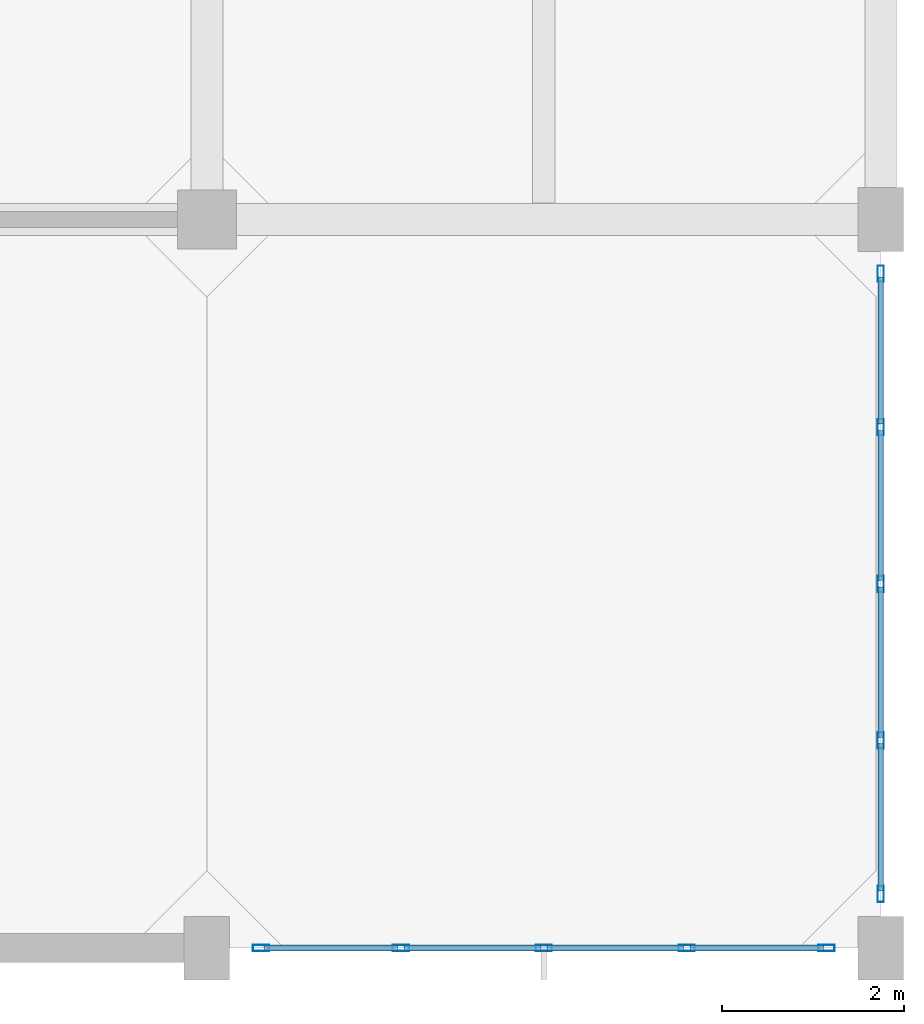
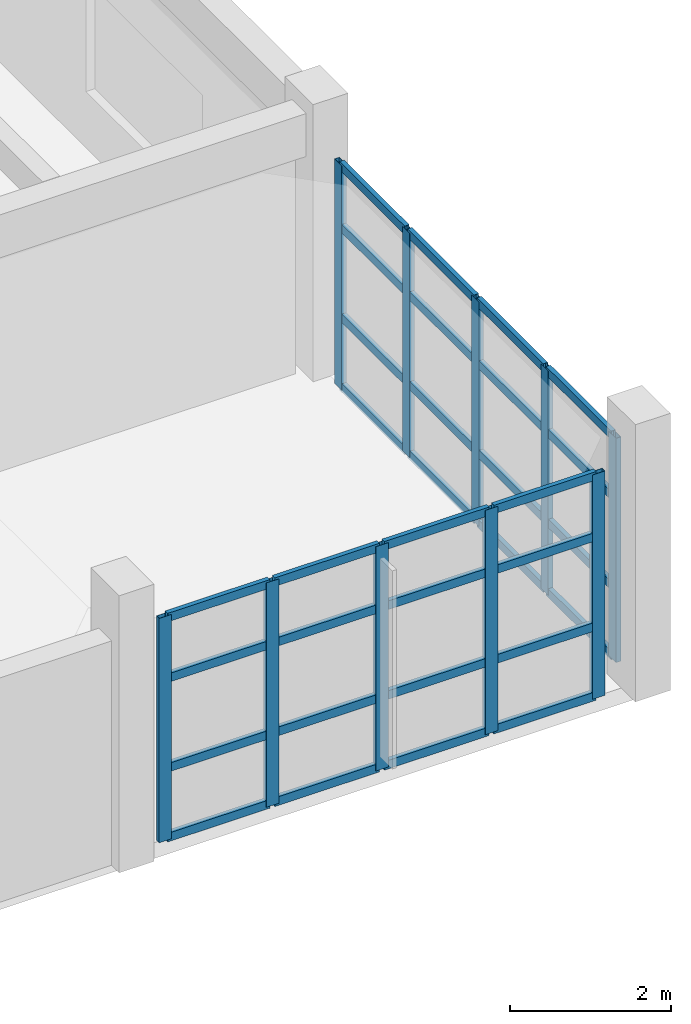
# One storey, part 5 of 18: 42 members, 2 elements without a shape of their own.
"""IFC4 building model written with IfcOpenShell, lengths in metres."""

from ifc_helpers import new_model, si_unit, direction, frame, origin, origin_2d, place, context, subcontext, project, spatial, hollow_rectangle, extrude, material, layer, layer_set, material_profile, profile_set, type_object, element, aggregate, save


model = new_model("IFC4")

# Units and contexts
model_context = context("Model", 3, precision=1e-05, world=origin(), true_north=direction((0.0, 1.0)))
body_context = subcontext(model_context, "Body", "Model", "MODEL_VIEW")
ifc_project = project(units=[si_unit("LENGTHUNIT", "METRE"), si_unit("AREAUNIT", "SQUARE_METRE"), si_unit("VOLUMEUNIT", "CUBIC_METRE"), si_unit("PLANEANGLEUNIT", "RADIAN"), si_unit("MASSUNIT", "GRAM", prefix="KILO")], contexts=[model_context])

# Site, building, storey
site_placement = place(None, origin())
site = spatial("IfcSite", under=ifc_project, at=site_placement, CompositionType="ELEMENT")
building_placement = place(site_placement, origin())
building = spatial("IfcBuilding", under=site, at=building_placement, Name="Canggui Botanical Conservatory", CompositionType="ELEMENT")
storey_placement = place(building_placement, frame((0.0, 0.0, 52.800048828125)))
storey = spatial("IfcBuildingStorey", under=building, at=storey_placement, Name="L13", CompositionType="ELEMENT", Elevation=52.800048828125)

# Curtain wall, members
ifc_material = material(Name="Thermally Broken Aluminium", Category="aluminium")
ifc_layer = layer(ifc_material, 0.179931640625, Name="Thermally Broken Aluminium", Category="aluminium")
ifc_layer_set = layer_set([ifc_layer], Name="Thermally Broken Aluminium")
curtain_wall_type = type_object("IfcCurtainWallType", Name="CW-UNIT-A", PredefinedType="USERDEFINED", material=ifc_layer_set)
curtain_wall_1_placement = place(storey_placement, origin())
curtain_wall_1 = element("IfcCurtainWall", 1, at=curtain_wall_1_placement, inside=storey, type_object=curtain_wall_type, Name="Facade Curtain Wall CW-TWR-L13-01", ObjectType="UNITISED CURTAIN WALL", PredefinedType="USERDEFINED")
ifc_material_profile_1 = material_profile(ifc_material, hollow_rectangle(XDim=0.070068359375, YDim=0.179931640625, WallThickness=0.00390625, at=origin_2d()), Name="CWM 70x180x4")
ifc_profile_set_1 = profile_set([ifc_material_profile_1], Name="Thermally Broken Aluminium")
member_type_1 = type_object("IfcMemberType", Name="CWM-01", PredefinedType="MULLION", material=ifc_profile_set_1)
member_1_placement = place(storey_placement, frame((176.804931640625, 34.0, 0.0), z_axis=(0.0, 0.0, 1.0), x_axis=(0.0, -1.0, 0.0)))
member_1 = element("IfcMember", 2, at=member_1_placement, type_object=member_type_1, Name="CW-01 mullion 1", PredefinedType="MULLION", context=body_context, shape_type="SweptSolid", body=[
    extrude(hollow_rectangle(XDim=0.070068359375, YDim=0.179931640625, WallThickness=0.00390625, at=origin_2d()), origin(), (0.0, 0.0, 1.0), 3.39990234375),
])
member_2_placement = place(storey_placement, frame((175.27001953125, 34.0, 0.0), z_axis=(0.0, 0.0, 1.0), x_axis=(0.0, -1.0, 0.0)))
member_2 = element("IfcMember", 3, at=member_2_placement, type_object=member_type_1, Name="CW-01 mullion 2", PredefinedType="MULLION", context=body_context, shape_type="SweptSolid", body=[
    extrude(hollow_rectangle(XDim=0.070068359375, YDim=0.179931640625, WallThickness=0.00390625, at=origin_2d()), origin(), (0.0, 0.0, 1.0), 3.39990234375),
])
member_3_placement = place(storey_placement, frame((173.699951171875, 34.0, 0.0), z_axis=(0.0, 0.0, 1.0), x_axis=(0.0, -1.0, 0.0)))
member_3 = element("IfcMember", 4, at=member_3_placement, type_object=member_type_1, Name="CW-01 mullion 3", PredefinedType="MULLION", context=body_context, shape_type="SweptSolid", body=[
    extrude(hollow_rectangle(XDim=0.070068359375, YDim=0.179931640625, WallThickness=0.00390625, at=origin_2d()), origin(), (0.0, 0.0, 1.0), 3.39990234375),
])
member_4_placement = place(storey_placement, frame((172.1298828125, 34.0, 0.0), z_axis=(0.0, 0.0, 1.0), x_axis=(0.0, -1.0, 0.0)))
member_4 = element("IfcMember", 5, at=member_4_placement, type_object=member_type_1, Name="CW-01 mullion 4", PredefinedType="MULLION", context=body_context, shape_type="SweptSolid", body=[
    extrude(hollow_rectangle(XDim=0.070068359375, YDim=0.179931640625, WallThickness=0.00390625, at=origin_2d()), origin(), (0.0, 0.0, 1.0), 3.39990234375),
])
member_5_placement = place(storey_placement, frame((170.594970703125, 34.0, 0.0), z_axis=(0.0, 0.0, 1.0), x_axis=(0.0, -1.0, 0.0)))
member_5 = element("IfcMember", 6, at=member_5_placement, type_object=member_type_1, Name="CW-01 mullion 5", PredefinedType="MULLION", context=body_context, shape_type="SweptSolid", body=[
    extrude(hollow_rectangle(XDim=0.070068359375, YDim=0.179931640625, WallThickness=0.00390625, at=origin_2d()), origin(), (0.0, 0.0, 1.0), 3.39990234375),
])

curtain_wall_2_placement = place(storey_placement, origin())
curtain_wall_2 = element("IfcCurtainWall", 7, at=curtain_wall_2_placement, inside=storey, type_object=curtain_wall_type, Name="Facade Curtain Wall CW-TWR-L13-15", ObjectType="UNITISED CURTAIN WALL", PredefinedType="USERDEFINED")
member_6_placement = place(storey_placement, frame((177.39990234375, 41.405029296875, 0.0), z_axis=(0.0, 0.0, 1.0), x_axis=(1.0, 0.0, 0.0)))
member_6 = element("IfcMember", 8, at=member_6_placement, type_object=member_type_1, Name="CW-01 mullion 1", PredefinedType="MULLION", context=body_context, shape_type="SweptSolid", body=[
    extrude(hollow_rectangle(XDim=0.070068359375, YDim=0.179931640625, WallThickness=0.00390625, at=origin_2d()), origin(), (0.0, 0.0, 1.0), 3.39990234375),
])
member_7_placement = place(storey_placement, frame((177.39990234375, 39.719970703125, 0.0), z_axis=(0.0, 0.0, 1.0), x_axis=(1.0, 0.0, 0.0)))
member_7 = element("IfcMember", 9, at=member_7_placement, type_object=member_type_1, Name="CW-01 mullion 2", PredefinedType="MULLION", context=body_context, shape_type="SweptSolid", body=[
    extrude(hollow_rectangle(XDim=0.070068359375, YDim=0.179931640625, WallThickness=0.00390625, at=origin_2d()), origin(), (0.0, 0.0, 1.0), 3.39990234375),
])
member_8_placement = place(storey_placement, frame((177.39990234375, 38.0, 0.0), z_axis=(0.0, 0.0, 1.0), x_axis=(1.0, 0.0, 0.0)))
member_8 = element("IfcMember", 10, at=member_8_placement, type_object=member_type_1, Name="CW-01 mullion 3", PredefinedType="MULLION", context=body_context, shape_type="SweptSolid", body=[
    extrude(hollow_rectangle(XDim=0.070068359375, YDim=0.179931640625, WallThickness=0.00390625, at=origin_2d()), origin(), (0.0, 0.0, 1.0), 3.39990234375),
])
member_9_placement = place(storey_placement, frame((177.39990234375, 36.280029296875, 0.0), z_axis=(0.0, 0.0, 1.0), x_axis=(1.0, 0.0, 0.0)))
member_9 = element("IfcMember", 11, at=member_9_placement, type_object=member_type_1, Name="CW-01 mullion 4", PredefinedType="MULLION", context=body_context, shape_type="SweptSolid", body=[
    extrude(hollow_rectangle(XDim=0.070068359375, YDim=0.179931640625, WallThickness=0.00390625, at=origin_2d()), origin(), (0.0, 0.0, 1.0), 3.39990234375),
])
member_10_placement = place(storey_placement, frame((177.39990234375, 34.594970703125, 0.0), z_axis=(0.0, 0.0, 1.0), x_axis=(1.0, 0.0, 0.0)))
member_10 = element("IfcMember", 12, at=member_10_placement, type_object=member_type_1, Name="CW-01 mullion 5", PredefinedType="MULLION", context=body_context, shape_type="SweptSolid", body=[
    extrude(hollow_rectangle(XDim=0.070068359375, YDim=0.179931640625, WallThickness=0.00390625, at=origin_2d()), origin(), (0.0, 0.0, 1.0), 3.39990234375),
])

# Member
ifc_material_profile_2 = material_profile(ifc_material, hollow_rectangle(XDim=0.06494140625, YDim=0.1298828125, WallThickness=0.00341796875, at=origin_2d()), Name="CWT 65x130x3.5")
ifc_profile_set_2 = profile_set([ifc_material_profile_2], Name="Thermally Broken Aluminium")
member_type_2 = type_object("IfcMemberType", Name="CWT-01", PredefinedType="USERDEFINED", material=ifc_profile_set_2)
member_11_placement = place(storey_placement, frame((176.77001953125, 34.0, 0.032470703125), z_axis=(-1.0, 0.0, 0.0), x_axis=(0.0, -1.0, 0.0)))
member_11 = element("IfcMember", 13, at=member_11_placement, type_object=member_type_2, Name="CW-01 transom 1.1", ObjectType="TRANSOM", PredefinedType="USERDEFINED", context=body_context, shape_type="SweptSolid", body=[
    extrude(hollow_rectangle(XDim=0.06494140625, YDim=0.1298828125, WallThickness=0.00341796875, at=origin_2d()), origin(), (0.0, 0.0, 1.0), 1.465087890625),
])

member_12_placement = place(storey_placement, frame((176.77001953125, 34.0, 1.087890625), z_axis=(-1.0, 0.0, 0.0), x_axis=(0.0, -1.0, 0.0)))
member_12 = element("IfcMember", 14, at=member_12_placement, type_object=member_type_2, Name="CW-01 transom 1.2", ObjectType="TRANSOM", PredefinedType="USERDEFINED", context=body_context, shape_type="SweptSolid", body=[
    extrude(hollow_rectangle(XDim=0.06494140625, YDim=0.1298828125, WallThickness=0.00341796875, at=origin_2d()), origin(), (0.0, 0.0, 1.0), 1.465087890625),
])

member_13_placement = place(storey_placement, frame((176.77001953125, 34.0, 2.447998046875), z_axis=(-1.0, 0.0, 0.0), x_axis=(0.0, -1.0, 0.0)))
member_13 = element("IfcMember", 15, at=member_13_placement, type_object=member_type_2, Name="CW-01 transom 1.3", ObjectType="TRANSOM", PredefinedType="USERDEFINED", context=body_context, shape_type="SweptSolid", body=[
    extrude(hollow_rectangle(XDim=0.06494140625, YDim=0.1298828125, WallThickness=0.00341796875, at=origin_2d()), origin(), (0.0, 0.0, 1.0), 1.465087890625),
])

member_14_placement = place(storey_placement, frame((176.77001953125, 34.0, 3.367431640625), z_axis=(-1.0, 0.0, 0.0), x_axis=(0.0, -1.0, 0.0)))
member_14 = element("IfcMember", 16, at=member_14_placement, type_object=member_type_2, Name="CW-01 transom 1.4", ObjectType="TRANSOM", PredefinedType="USERDEFINED", context=body_context, shape_type="SweptSolid", body=[
    extrude(hollow_rectangle(XDim=0.06494140625, YDim=0.1298828125, WallThickness=0.00341796875, at=origin_2d()), origin(), (0.0, 0.0, 1.0), 1.465087890625),
])

member_15_placement = place(storey_placement, frame((175.235107421875, 34.0, 0.032470703125), z_axis=(-1.0, 0.0, 0.0), x_axis=(0.0, -1.0, 0.0)))
member_15 = element("IfcMember", 17, at=member_15_placement, type_object=member_type_2, Name="CW-01 transom 2.1", ObjectType="TRANSOM", PredefinedType="USERDEFINED", context=body_context, shape_type="SweptSolid", body=[
    extrude(hollow_rectangle(XDim=0.06494140625, YDim=0.1298828125, WallThickness=0.00341796875, at=origin_2d()), origin(), (0.0, 0.0, 1.0), 1.5),
])

member_16_placement = place(storey_placement, frame((175.235107421875, 34.0, 1.087890625), z_axis=(-1.0, 0.0, 0.0), x_axis=(0.0, -1.0, 0.0)))
member_16 = element("IfcMember", 18, at=member_16_placement, type_object=member_type_2, Name="CW-01 transom 2.2", ObjectType="TRANSOM", PredefinedType="USERDEFINED", context=body_context, shape_type="SweptSolid", body=[
    extrude(hollow_rectangle(XDim=0.06494140625, YDim=0.1298828125, WallThickness=0.00341796875, at=origin_2d()), origin(), (0.0, 0.0, 1.0), 1.5),
])

member_17_placement = place(storey_placement, frame((175.235107421875, 34.0, 2.447998046875), z_axis=(-1.0, 0.0, 0.0), x_axis=(0.0, -1.0, 0.0)))
member_17 = element("IfcMember", 19, at=member_17_placement, type_object=member_type_2, Name="CW-01 transom 2.3", ObjectType="TRANSOM", PredefinedType="USERDEFINED", context=body_context, shape_type="SweptSolid", body=[
    extrude(hollow_rectangle(XDim=0.06494140625, YDim=0.1298828125, WallThickness=0.00341796875, at=origin_2d()), origin(), (0.0, 0.0, 1.0), 1.5),
])

member_18_placement = place(storey_placement, frame((175.235107421875, 34.0, 3.367431640625), z_axis=(-1.0, 0.0, 0.0), x_axis=(0.0, -1.0, 0.0)))
member_18 = element("IfcMember", 20, at=member_18_placement, type_object=member_type_2, Name="CW-01 transom 2.4", ObjectType="TRANSOM", PredefinedType="USERDEFINED", context=body_context, shape_type="SweptSolid", body=[
    extrude(hollow_rectangle(XDim=0.06494140625, YDim=0.1298828125, WallThickness=0.00341796875, at=origin_2d()), origin(), (0.0, 0.0, 1.0), 1.5),
])

member_19_placement = place(storey_placement, frame((173.6650390625, 34.0, 0.032470703125), z_axis=(-1.0, 0.0, 0.0), x_axis=(0.0, -1.0, 0.0)))
member_19 = element("IfcMember", 21, at=member_19_placement, type_object=member_type_2, Name="CW-01 transom 3.1", ObjectType="TRANSOM", PredefinedType="USERDEFINED", context=body_context, shape_type="SweptSolid", body=[
    extrude(hollow_rectangle(XDim=0.06494140625, YDim=0.1298828125, WallThickness=0.00341796875, at=origin_2d()), origin(), (0.0, 0.0, 1.0), 1.5),
])

member_20_placement = place(storey_placement, frame((173.6650390625, 34.0, 1.087890625), z_axis=(-1.0, 0.0, 0.0), x_axis=(0.0, -1.0, 0.0)))
member_20 = element("IfcMember", 22, at=member_20_placement, type_object=member_type_2, Name="CW-01 transom 3.2", ObjectType="TRANSOM", PredefinedType="USERDEFINED", context=body_context, shape_type="SweptSolid", body=[
    extrude(hollow_rectangle(XDim=0.06494140625, YDim=0.1298828125, WallThickness=0.00341796875, at=origin_2d()), origin(), (0.0, 0.0, 1.0), 1.5),
])

member_21_placement = place(storey_placement, frame((173.6650390625, 34.0, 2.447998046875), z_axis=(-1.0, 0.0, 0.0), x_axis=(0.0, -1.0, 0.0)))
member_21 = element("IfcMember", 23, at=member_21_placement, type_object=member_type_2, Name="CW-01 transom 3.3", ObjectType="TRANSOM", PredefinedType="USERDEFINED", context=body_context, shape_type="SweptSolid", body=[
    extrude(hollow_rectangle(XDim=0.06494140625, YDim=0.1298828125, WallThickness=0.00341796875, at=origin_2d()), origin(), (0.0, 0.0, 1.0), 1.5),
])

member_22_placement = place(storey_placement, frame((173.6650390625, 34.0, 3.367431640625), z_axis=(-1.0, 0.0, 0.0), x_axis=(0.0, -1.0, 0.0)))
member_22 = element("IfcMember", 24, at=member_22_placement, type_object=member_type_2, Name="CW-01 transom 3.4", ObjectType="TRANSOM", PredefinedType="USERDEFINED", context=body_context, shape_type="SweptSolid", body=[
    extrude(hollow_rectangle(XDim=0.06494140625, YDim=0.1298828125, WallThickness=0.00341796875, at=origin_2d()), origin(), (0.0, 0.0, 1.0), 1.5),
])

member_23_placement = place(storey_placement, frame((172.094970703125, 34.0, 0.032470703125), z_axis=(-1.0, 0.0, 0.0), x_axis=(0.0, -1.0, 0.0)))
member_23 = element("IfcMember", 25, at=member_23_placement, type_object=member_type_2, Name="CW-01 transom 4.1", ObjectType="TRANSOM", PredefinedType="USERDEFINED", context=body_context, shape_type="SweptSolid", body=[
    extrude(hollow_rectangle(XDim=0.06494140625, YDim=0.1298828125, WallThickness=0.00341796875, at=origin_2d()), origin(), (0.0, 0.0, 1.0), 1.465087890625),
])

member_24_placement = place(storey_placement, frame((172.094970703125, 34.0, 1.087890625), z_axis=(-1.0, 0.0, 0.0), x_axis=(0.0, -1.0, 0.0)))
member_24 = element("IfcMember", 26, at=member_24_placement, type_object=member_type_2, Name="CW-01 transom 4.2", ObjectType="TRANSOM", PredefinedType="USERDEFINED", context=body_context, shape_type="SweptSolid", body=[
    extrude(hollow_rectangle(XDim=0.06494140625, YDim=0.1298828125, WallThickness=0.00341796875, at=origin_2d()), origin(), (0.0, 0.0, 1.0), 1.465087890625),
])

member_25_placement = place(storey_placement, frame((172.094970703125, 34.0, 2.447998046875), z_axis=(-1.0, 0.0, 0.0), x_axis=(0.0, -1.0, 0.0)))
member_25 = element("IfcMember", 27, at=member_25_placement, type_object=member_type_2, Name="CW-01 transom 4.3", ObjectType="TRANSOM", PredefinedType="USERDEFINED", context=body_context, shape_type="SweptSolid", body=[
    extrude(hollow_rectangle(XDim=0.06494140625, YDim=0.1298828125, WallThickness=0.00341796875, at=origin_2d()), origin(), (0.0, 0.0, 1.0), 1.465087890625),
])

member_26_placement = place(storey_placement, frame((172.094970703125, 34.0, 3.367431640625), z_axis=(-1.0, 0.0, 0.0), x_axis=(0.0, -1.0, 0.0)))
member_26 = element("IfcMember", 28, at=member_26_placement, type_object=member_type_2, Name="CW-01 transom 4.4", ObjectType="TRANSOM", PredefinedType="USERDEFINED", context=body_context, shape_type="SweptSolid", body=[
    extrude(hollow_rectangle(XDim=0.06494140625, YDim=0.1298828125, WallThickness=0.00341796875, at=origin_2d()), origin(), (0.0, 0.0, 1.0), 1.465087890625),
])

aggregate(curtain_wall_1, [member_1, member_2, member_3, member_4, member_5, member_11, member_12, member_13, member_14, member_15, member_16, member_17, member_18, member_19, member_20, member_21, member_22, member_23, member_24, member_25, member_26])

member_27_placement = place(storey_placement, frame((177.39990234375, 41.3701171875, 0.032470703125), z_axis=(0.0, -1.0, 0.0), x_axis=(1.0, 0.0, 0.0)))
member_27 = element("IfcMember", 29, at=member_27_placement, type_object=member_type_2, Name="CW-01 transom 1.1", ObjectType="TRANSOM", PredefinedType="USERDEFINED", context=body_context, shape_type="SweptSolid", body=[
    extrude(hollow_rectangle(XDim=0.06494140625, YDim=0.1298828125, WallThickness=0.00341796875, at=origin_2d()), origin(), (0.0, 0.0, 1.0), 1.615234375),
])

member_28_placement = place(storey_placement, frame((177.39990234375, 41.3701171875, 1.087890625), z_axis=(0.0, -1.0, 0.0), x_axis=(1.0, 0.0, 0.0)))
member_28 = element("IfcMember", 30, at=member_28_placement, type_object=member_type_2, Name="CW-01 transom 1.2", ObjectType="TRANSOM", PredefinedType="USERDEFINED", context=body_context, shape_type="SweptSolid", body=[
    extrude(hollow_rectangle(XDim=0.06494140625, YDim=0.1298828125, WallThickness=0.00341796875, at=origin_2d()), origin(), (0.0, 0.0, 1.0), 1.615234375),
])

member_29_placement = place(storey_placement, frame((177.39990234375, 41.3701171875, 2.447998046875), z_axis=(0.0, -1.0, 0.0), x_axis=(1.0, 0.0, 0.0)))
member_29 = element("IfcMember", 31, at=member_29_placement, type_object=member_type_2, Name="CW-01 transom 1.3", ObjectType="TRANSOM", PredefinedType="USERDEFINED", context=body_context, shape_type="SweptSolid", body=[
    extrude(hollow_rectangle(XDim=0.06494140625, YDim=0.1298828125, WallThickness=0.00341796875, at=origin_2d()), origin(), (0.0, 0.0, 1.0), 1.615234375),
])

member_30_placement = place(storey_placement, frame((177.39990234375, 41.3701171875, 3.367431640625), z_axis=(0.0, -1.0, 0.0), x_axis=(1.0, 0.0, 0.0)))
member_30 = element("IfcMember", 32, at=member_30_placement, type_object=member_type_2, Name="CW-01 transom 1.4", ObjectType="TRANSOM", PredefinedType="USERDEFINED", context=body_context, shape_type="SweptSolid", body=[
    extrude(hollow_rectangle(XDim=0.06494140625, YDim=0.1298828125, WallThickness=0.00341796875, at=origin_2d()), origin(), (0.0, 0.0, 1.0), 1.615234375),
])

member_31_placement = place(storey_placement, frame((177.39990234375, 39.68505859375, 0.032470703125), z_axis=(0.0, -1.0, 0.0), x_axis=(1.0, 0.0, 0.0)))
member_31 = element("IfcMember", 33, at=member_31_placement, type_object=member_type_2, Name="CW-01 transom 2.1", ObjectType="TRANSOM", PredefinedType="USERDEFINED", context=body_context, shape_type="SweptSolid", body=[
    extrude(hollow_rectangle(XDim=0.06494140625, YDim=0.1298828125, WallThickness=0.00341796875, at=origin_2d()), origin(), (0.0, 0.0, 1.0), 1.650146484375),
])

member_32_placement = place(storey_placement, frame((177.39990234375, 39.68505859375, 1.087890625), z_axis=(0.0, -1.0, 0.0), x_axis=(1.0, 0.0, 0.0)))
member_32 = element("IfcMember", 34, at=member_32_placement, type_object=member_type_2, Name="CW-01 transom 2.2", ObjectType="TRANSOM", PredefinedType="USERDEFINED", context=body_context, shape_type="SweptSolid", body=[
    extrude(hollow_rectangle(XDim=0.06494140625, YDim=0.1298828125, WallThickness=0.00341796875, at=origin_2d()), origin(), (0.0, 0.0, 1.0), 1.650146484375),
])

member_33_placement = place(storey_placement, frame((177.39990234375, 39.68505859375, 2.447998046875), z_axis=(0.0, -1.0, 0.0), x_axis=(1.0, 0.0, 0.0)))
member_33 = element("IfcMember", 35, at=member_33_placement, type_object=member_type_2, Name="CW-01 transom 2.3", ObjectType="TRANSOM", PredefinedType="USERDEFINED", context=body_context, shape_type="SweptSolid", body=[
    extrude(hollow_rectangle(XDim=0.06494140625, YDim=0.1298828125, WallThickness=0.00341796875, at=origin_2d()), origin(), (0.0, 0.0, 1.0), 1.650146484375),
])

member_34_placement = place(storey_placement, frame((177.39990234375, 39.68505859375, 3.367431640625), z_axis=(0.0, -1.0, 0.0), x_axis=(1.0, 0.0, 0.0)))
member_34 = element("IfcMember", 36, at=member_34_placement, type_object=member_type_2, Name="CW-01 transom 2.4", ObjectType="TRANSOM", PredefinedType="USERDEFINED", context=body_context, shape_type="SweptSolid", body=[
    extrude(hollow_rectangle(XDim=0.06494140625, YDim=0.1298828125, WallThickness=0.00341796875, at=origin_2d()), origin(), (0.0, 0.0, 1.0), 1.650146484375),
])

member_35_placement = place(storey_placement, frame((177.39990234375, 37.965087890625, 0.032470703125), z_axis=(0.0, -1.0, 0.0), x_axis=(1.0, 0.0, 0.0)))
member_35 = element("IfcMember", 37, at=member_35_placement, type_object=member_type_2, Name="CW-01 transom 3.1", ObjectType="TRANSOM", PredefinedType="USERDEFINED", context=body_context, shape_type="SweptSolid", body=[
    extrude(hollow_rectangle(XDim=0.06494140625, YDim=0.1298828125, WallThickness=0.00341796875, at=origin_2d()), origin(), (0.0, 0.0, 1.0), 1.650146484375),
])

member_36_placement = place(storey_placement, frame((177.39990234375, 37.965087890625, 1.087890625), z_axis=(0.0, -1.0, 0.0), x_axis=(1.0, 0.0, 0.0)))
member_36 = element("IfcMember", 38, at=member_36_placement, type_object=member_type_2, Name="CW-01 transom 3.2", ObjectType="TRANSOM", PredefinedType="USERDEFINED", context=body_context, shape_type="SweptSolid", body=[
    extrude(hollow_rectangle(XDim=0.06494140625, YDim=0.1298828125, WallThickness=0.00341796875, at=origin_2d()), origin(), (0.0, 0.0, 1.0), 1.650146484375),
])

member_37_placement = place(storey_placement, frame((177.39990234375, 37.965087890625, 2.447998046875), z_axis=(0.0, -1.0, 0.0), x_axis=(1.0, 0.0, 0.0)))
member_37 = element("IfcMember", 39, at=member_37_placement, type_object=member_type_2, Name="CW-01 transom 3.3", ObjectType="TRANSOM", PredefinedType="USERDEFINED", context=body_context, shape_type="SweptSolid", body=[
    extrude(hollow_rectangle(XDim=0.06494140625, YDim=0.1298828125, WallThickness=0.00341796875, at=origin_2d()), origin(), (0.0, 0.0, 1.0), 1.650146484375),
])

member_38_placement = place(storey_placement, frame((177.39990234375, 37.965087890625, 3.367431640625), z_axis=(0.0, -1.0, 0.0), x_axis=(1.0, 0.0, 0.0)))
member_38 = element("IfcMember", 40, at=member_38_placement, type_object=member_type_2, Name="CW-01 transom 3.4", ObjectType="TRANSOM", PredefinedType="USERDEFINED", context=body_context, shape_type="SweptSolid", body=[
    extrude(hollow_rectangle(XDim=0.06494140625, YDim=0.1298828125, WallThickness=0.00341796875, at=origin_2d()), origin(), (0.0, 0.0, 1.0), 1.650146484375),
])

member_39_placement = place(storey_placement, frame((177.39990234375, 36.2451171875, 0.032470703125), z_axis=(0.0, -1.0, 0.0), x_axis=(1.0, 0.0, 0.0)))
member_39 = element("IfcMember", 41, at=member_39_placement, type_object=member_type_2, Name="CW-01 transom 4.1", ObjectType="TRANSOM", PredefinedType="USERDEFINED", context=body_context, shape_type="SweptSolid", body=[
    extrude(hollow_rectangle(XDim=0.06494140625, YDim=0.1298828125, WallThickness=0.00341796875, at=origin_2d()), origin(), (0.0, 0.0, 1.0), 1.615234375),
])

member_40_placement = place(storey_placement, frame((177.39990234375, 36.2451171875, 1.087890625), z_axis=(0.0, -1.0, 0.0), x_axis=(1.0, 0.0, 0.0)))
member_40 = element("IfcMember", 42, at=member_40_placement, type_object=member_type_2, Name="CW-01 transom 4.2", ObjectType="TRANSOM", PredefinedType="USERDEFINED", context=body_context, shape_type="SweptSolid", body=[
    extrude(hollow_rectangle(XDim=0.06494140625, YDim=0.1298828125, WallThickness=0.00341796875, at=origin_2d()), origin(), (0.0, 0.0, 1.0), 1.615234375),
])

member_41_placement = place(storey_placement, frame((177.39990234375, 36.2451171875, 2.447998046875), z_axis=(0.0, -1.0, 0.0), x_axis=(1.0, 0.0, 0.0)))
member_41 = element("IfcMember", 43, at=member_41_placement, type_object=member_type_2, Name="CW-01 transom 4.3", ObjectType="TRANSOM", PredefinedType="USERDEFINED", context=body_context, shape_type="SweptSolid", body=[
    extrude(hollow_rectangle(XDim=0.06494140625, YDim=0.1298828125, WallThickness=0.00341796875, at=origin_2d()), origin(), (0.0, 0.0, 1.0), 1.615234375),
])

member_42_placement = place(storey_placement, frame((177.39990234375, 36.2451171875, 3.367431640625), z_axis=(0.0, -1.0, 0.0), x_axis=(1.0, 0.0, 0.0)))
member_42 = element("IfcMember", 44, at=member_42_placement, type_object=member_type_2, Name="CW-01 transom 4.4", ObjectType="TRANSOM", PredefinedType="USERDEFINED", context=body_context, shape_type="SweptSolid", body=[
    extrude(hollow_rectangle(XDim=0.06494140625, YDim=0.1298828125, WallThickness=0.00341796875, at=origin_2d()), origin(), (0.0, 0.0, 1.0), 1.615234375),
])

aggregate(curtain_wall_2, [member_6, member_7, member_8, member_9, member_10, member_27, member_28, member_29, member_30, member_31, member_32, member_33, member_34, member_35, member_36, member_37, member_38, member_39, member_40, member_41, member_42])

save(model, "model.ifc")
